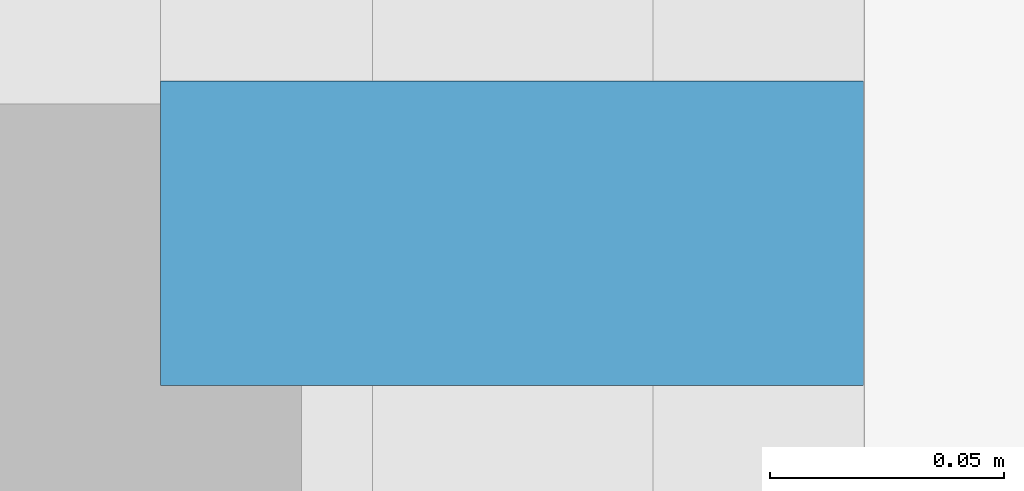
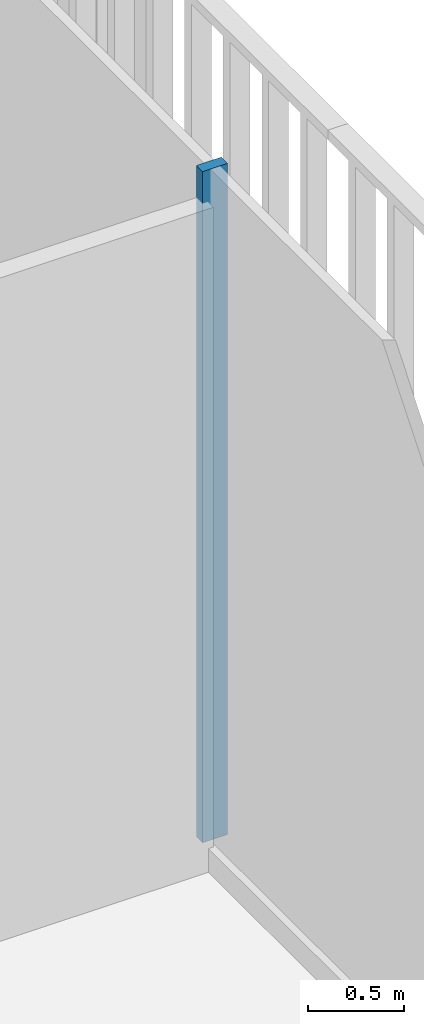
# One storey, part 10 of 20: 1 member, 1 element without a shape of its own.
"""IFC4 building model written with IfcOpenShell, lengths in metres."""

from ifc_helpers import new_model, si_unit, direction, frame, origin, origin_2d, place, context, subcontext, project, spatial, rectangle, extrude, material, layer, layer_set, material_profile, profile_set, type_object, element, aggregate, save


model = new_model("IFC4")

# Units and contexts
model_context = context("Model", 3, precision=1e-05, world=origin(), true_north=direction((0.0, 1.0)))
body_context = subcontext(model_context, "Body", "Model", "MODEL_VIEW")
ifc_project = project(units=[si_unit("LENGTHUNIT", "METRE"), si_unit("AREAUNIT", "SQUARE_METRE"), si_unit("VOLUMEUNIT", "CUBIC_METRE"), si_unit("PLANEANGLEUNIT", "RADIAN"), si_unit("MASSUNIT", "GRAM", prefix="KILO")], contexts=[model_context])

# Site, building, storey
site_placement = place(None, origin())
site = spatial("IfcSite", under=ifc_project, at=site_placement, CompositionType="ELEMENT")
building_placement = place(site_placement, origin())
building = spatial("IfcBuilding", under=site, at=building_placement, Name="Millrace Tower", CompositionType="ELEMENT")
storey_placement = place(building_placement, frame((0.0, 0.0, 86.39990234375)))
storey = spatial("IfcBuildingStorey", under=building, at=storey_placement, Name="L19", CompositionType="ELEMENT", Elevation=86.39990234375)

# Curtain wall, member
ifc_material_1 = material(Name="Aluminium and glass", Category="aluminium")
ifc_layer = layer(ifc_material_1, 0.14990234375)
ifc_layer_set = layer_set([ifc_layer], Name="Aluminium and glass")
curtain_wall_type = type_object("IfcCurtainWallType", Name="CW-3 telecom floor curtain wall", PredefinedType="NOTDEFINED", material=ifc_layer_set)
curtain_wall_placement = place(storey_placement, origin())
curtain_wall = element("IfcCurtainWall", 1, at=curtain_wall_placement, inside=storey, type_object=curtain_wall_type, Name="Curtain wall B-F04 L19", PredefinedType="NOTDEFINED")
ifc_material_2 = material(Name="Aluminium", Category="aluminium")
ifc_material_profile = material_profile(ifc_material_2, rectangle(XDim=0.06494140625, YDim=0.14990234375, at=origin_2d()))
ifc_profile_set = profile_set([ifc_material_profile], Name="Aluminium")
member_type = type_object("IfcMemberType", Name="CW-3 telecom floor curtain wall mullion", PredefinedType="MULLION", material=ifc_profile_set)
member_placement = place(storey_placement, frame((28.27490234375, -2.66748046875, 0.150146484375), z_axis=(0.0, 0.0, 1.0), x_axis=(0.0, 1.0, 0.0)))
member = element("IfcMember", 2, at=member_placement, type_object=member_type, Name="CW3 mullion B-F04.6", PredefinedType="MULLION", context=body_context, shape_type="SweptSolid", body=[
    extrude(rectangle(XDim=0.06494140625, YDim=0.14990234375, at=origin_2d()), origin(), (0.0, 0.0, 1.0), 4.25),
])
aggregate(curtain_wall, [member])

save(model, "model.ifc")
